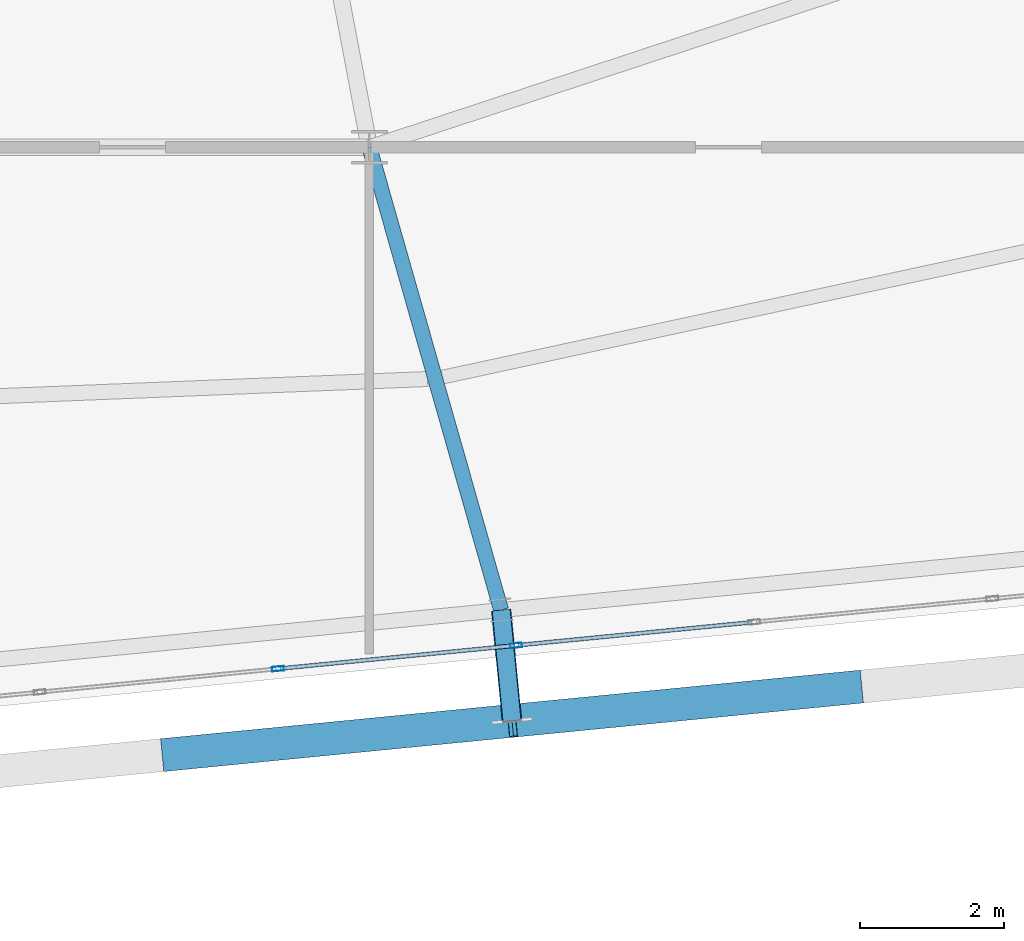
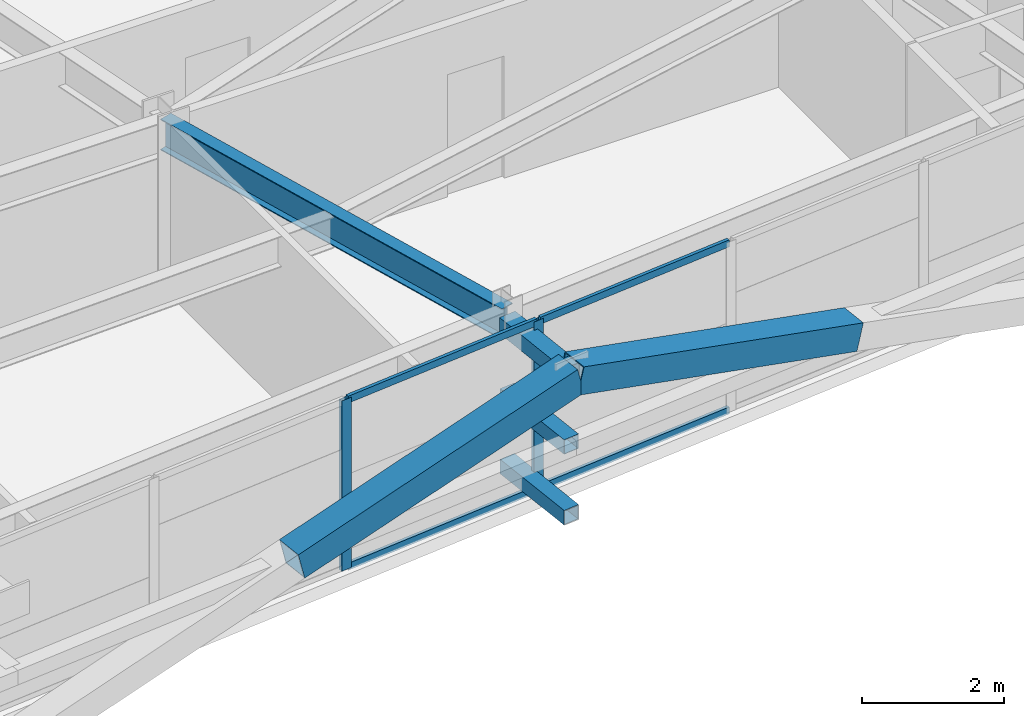
# One storey, part 17 of 52: 11 members, 1 beam, 1 element without a shape of its own.
"""IFC4 building model written with IfcOpenShell, lengths in metres."""

from ifc_helpers import new_model, si_unit, direction, frame, origin, origin_2d, place, context, subcontext, project, spatial, hollow_rectangle, i_section, extrude, source, transform, mapped, material, layer, layer_set, material_profile, profile_set, type_object, element, aggregate, save


model = new_model("IFC4")

# Units and contexts
model_context = context("Model", 3, precision=1e-05, world=origin(), true_north=direction((0.0, 1.0)))
body_context = subcontext(model_context, "Body", "Model", "MODEL_VIEW")
ifc_project = project(units=[si_unit("LENGTHUNIT", "METRE"), si_unit("AREAUNIT", "SQUARE_METRE"), si_unit("VOLUMEUNIT", "CUBIC_METRE"), si_unit("PLANEANGLEUNIT", "RADIAN"), si_unit("MASSUNIT", "GRAM", prefix="KILO")], contexts=[model_context])

# Site, building, storey
site_placement = place(None, origin())
site = spatial("IfcSite", under=ifc_project, at=site_placement, CompositionType="ELEMENT")
building_placement = place(site_placement, origin())
building = spatial("IfcBuilding", under=site, at=building_placement, Name="Taldren Reach Tower", CompositionType="ELEMENT")
storey_placement = place(building_placement, frame((0.0, 0.0, 74.550048828125)))
storey = spatial("IfcBuildingStorey", under=building, at=storey_placement, Name="L22", CompositionType="ELEMENT", Elevation=74.550048828125)

# Members
ifc_material_1 = material(Name="Steel Gr 450 (C450L0)", Category="steel")
ifc_material_profile_1 = material_profile(ifc_material_1, hollow_rectangle(XDim=0.27490234375, YDim=0.27490234375, WallThickness=0.00927734375, at=origin_2d()), Name="275x275x9.3SHS")
ifc_profile_set_1 = profile_set([ifc_material_profile_1], Name="Steel Gr 450 (C450L0)")
member_type_1 = type_object("IfcMemberType", Name="MB-TIE273", PredefinedType="STRUT", material=ifc_profile_set_1)
shared_shape_1 = source(origin(), body_context, "Body", "SweptSolid", [
    extrude(hollow_rectangle(XDim=0.27490234375, YDim=0.27490234375, WallThickness=0.00927734375, at=origin_2d()), origin(), (0.0, 0.0, 1.0), 1.5498046875),
])
member_1_placement = place(storey_placement, frame((43.83544921875, 2.75390625, 2.64990234375), z_axis=(0.097663201064, -0.995219523099, 0.0), x_axis=(0.995219523099, 0.097663201064, 0.0)))
element("IfcMember", 1, at=member_1_placement, inside=storey, type_object=member_type_1, Name="Exoskeleton diaphragm tie strut B2-S4 L22", PredefinedType="STRUT", context=body_context, shape_type="MappedRepresentation", body=[
    mapped(shared_shape_1, transform((0.0, 0.0, 0.0), scale=1.0)),
])
ifc_material_2 = material(Name="Steel Gr 350 (C350L0)", Category="steel")
ifc_material_profile_2 = material_profile(ifc_material_2, hollow_rectangle(XDim=0.25, YDim=0.25, WallThickness=0.010009765625, at=origin_2d()), Name="250x250x10.0SHS")
ifc_profile_set_2 = profile_set([ifc_material_profile_2], Name="Steel Gr 350 (C350L0)")
member_type_2 = type_object("IfcMemberType", Name="MB-POST250", PredefinedType="POST", material=ifc_profile_set_2)
shared_shape_2 = source(origin(), body_context, "Body", "SweptSolid", [
    extrude(hollow_rectangle(XDim=0.25, YDim=0.25, WallThickness=0.010009765625, at=origin_2d()), origin(), (0.0, 0.0, 1.0), 1.5498046875),
])
for number, where, z_axis, x_axis, name in (
    (2, (43.83544921875, 2.75390625, 0.219970703125), (0.097663201064, -0.995219523099, 0.0), (0.995219523099, 0.097663201064, 0.0), "Exoskeleton base diaphragm tie strut B2-S4 L22"),
    (3, (43.83544921875, 2.75390625, 1.43505859375), (0.097663201064, -0.995219523099, 0.0), (0.995219523099, 0.097663201064, 0.0), "Exoskeleton mid-tier diaphragm tie B2-S4 L22"),
):
    element("IfcMember", number, at=place(storey_placement, frame(where, z_axis=z_axis, x_axis=x_axis)), inside=storey, type_object=member_type_2, Name=name, PredefinedType="POST", context=body_context, shape_type="MappedRepresentation", body=[
        mapped(shared_shape_2, transform((0.0, 0.0, 0.0), scale=1.0)),
    ])

# Beam
ifc_material_3 = material(Name="Steel Gr 350 (350PLUS)", Category="steel")
ifc_material_profile_3 = material_profile(ifc_material_3, i_section(OverallWidth=0.208984375, OverallDepth=0.532958984375, WebThickness=0.01025390625, FlangeThickness=0.015625, at=origin_2d()), Name="530UB92.4")
ifc_profile_set_3 = profile_set([ifc_material_profile_3], Name="Steel Gr 350 (350PLUS)")
beam_type = type_object("IfcBeamType", Name="BM-UB530A", PredefinedType="BEAM", material=ifc_profile_set_3)
shared_shape_3 = source(origin(), body_context, "Body", "SweptSolid", [
    extrude(i_section(OverallWidth=0.208984375, OverallDepth=0.532958984375, WebThickness=0.01025390625, FlangeThickness=0.015625, at=origin_2d()), origin(), (0.0, 0.0, 1.0), 6.7021484375),
])
beam_placement = place(storey_placement, frame((42.0, 9.199951171875, 2.663330078125), z_axis=(0.273855026091, -0.961770983491, 0.0), x_axis=(0.961770983491, 0.273855026091, 0.0)))
element("IfcBeam", 4, at=beam_placement, inside=storey, type_object=beam_type, Name="Primary floor girder B2-S4 L22", PredefinedType="BEAM", context=body_context, shape_type="MappedRepresentation", body=[
    mapped(shared_shape_3, transform((0.0, 0.0, 0.0), scale=1.0)),
])

# Members
ifc_material_profile_4 = material_profile(ifc_material_1, hollow_rectangle(XDim=0.4599609375, YDim=0.4599609375, WallThickness=0.01611328125, at=origin_2d()), Name="460x460x16.0SHS")
ifc_profile_set_4 = profile_set([ifc_material_profile_4], Name="Steel Gr 450 (C450L0)")
member_type_3 = type_object("IfcMemberType", Name="MB-EXO457", PredefinedType="BRACE", material=ifc_profile_set_4)
shared_shape_4 = source(origin(), body_context, "Body", "SweptSolid", [
    extrude(hollow_rectangle(XDim=0.4599609375, YDim=0.4599609375, WallThickness=0.01611328125, at=origin_2d()), origin(), (0.0, 0.0, 1.0), 4.990234375),
])
for number, where, z_axis, x_axis, name in (
    (5, (39.169921875, 0.739013671875, 1.43505859375), (0.965282554799, 0.094669120301, 0.243448859234), (-0.097605711627, 0.995225162995, 0.0), "Exoskeleton Diagrid Brace B2-S3 L22"),
    (6, (48.8037109375, 1.68359375, 1.43505859375), (-0.965287024526, -0.094620633828, 0.24344998652), (0.097555749586, -0.995230061706, 0.0), "Exoskeleton Diagrid Brace B2-S4 L22"),
):
    element("IfcMember", number, at=place(storey_placement, frame(where, z_axis=z_axis, x_axis=x_axis)), inside=storey, type_object=member_type_3, Name=name, PredefinedType="BRACE", context=body_context, shape_type="MappedRepresentation", body=[
        mapped(shared_shape_4, transform((0.0, 0.0, 0.0), scale=1.0)),
    ])

# Curtain wall, members
ifc_material_4 = material(Name="Aluminium and Low-E Glass Unitised System", Category="aluminium")
ifc_layer = layer(ifc_material_4, 0.159912109375)
ifc_layer_set = layer_set([ifc_layer], Name="Aluminium and Low-E Glass Unitised System")
curtain_wall_type = type_object("IfcCurtainWallType", Name="CW-SYS-3", PredefinedType="NOTDEFINED", material=ifc_layer_set)
curtain_wall_placement = place(storey_placement, origin())
curtain_wall = element("IfcCurtainWall", 7, at=curtain_wall_placement, inside=storey, type_object=curtain_wall_type, Name="Unitised curtain wall CW-L22-S", PredefinedType="NOTDEFINED")
ifc_material_5 = material(Name="Anodised Aluminium 6063-T6", Category="aluminium")
ifc_material_profile_5 = material_profile(ifc_material_5, hollow_rectangle(XDim=0.06494140625, YDim=0.1650390625, WallThickness=0.00390625, at=origin_2d()), Name="ALU-165x65x4RHS")
ifc_profile_set_5 = profile_set([ifc_material_profile_5], Name="Anodised Aluminium 6063-T6")
member_type_4 = type_object("IfcMemberType", Name="CW-MUL-165", PredefinedType="MULLION", material=ifc_profile_set_5)
shared_shape_5 = source(origin(), body_context, "Body", "SweptSolid", [
    extrude(hollow_rectangle(XDim=0.06494140625, YDim=0.1650390625, WallThickness=0.00390625, at=origin_2d()), origin(), (0.0, 0.0, 1.0), 2.929931640625),
])
member_2_placement = place(storey_placement, frame((40.72705078125, 1.936767578125, 0.0), z_axis=(0.0, 0.0, 1.0), x_axis=(-0.097582999046, 0.995227390247, 0.0)))
member_2 = element("IfcMember", 8, at=member_2_placement, type_object=member_type_4, Name="CW-3 mullion 9", PredefinedType="MULLION", context=body_context, shape_type="MappedRepresentation", body=[
    mapped(shared_shape_5, transform((0.0, 0.0, 0.0), scale=1.0)),
])
member_3_placement = place(storey_placement, frame((44.044677734375, 2.261962890625, 0.0), z_axis=(0.0, 0.0, 1.0), x_axis=(-0.097582999046, 0.995227390247, 0.0)))
member_3 = element("IfcMember", 9, at=member_3_placement, type_object=member_type_4, Name="CW-3 mullion 10", PredefinedType="MULLION", context=body_context, shape_type="MappedRepresentation", body=[
    mapped(shared_shape_5, transform((0.0, 0.0, 0.0), scale=1.0)),
])
ifc_material_profile_6 = material_profile(ifc_material_5, hollow_rectangle(XDim=0.054931640625, YDim=0.1201171875, WallThickness=0.0029296875, at=origin_2d()), Name="ALU-120x55x3RHS")
ifc_profile_set_6 = profile_set([ifc_material_profile_6], Name="Anodised Aluminium 6063-T6")
member_type_5 = type_object("IfcMemberType", Name="CW-TRN-135", PredefinedType="USERDEFINED", material=ifc_profile_set_6)
shared_shape_6 = source(origin(), body_context, "Body", "SweptSolid", [
    extrude(hollow_rectangle(XDim=0.054931640625, YDim=0.1201171875, WallThickness=0.0029296875, at=origin_2d()), origin(), (0.0, 0.0, 1.0), 3.268310546875),
])
member_4_placement = place(storey_placement, frame((40.759521484375, 1.93994140625, 0.02734375), z_axis=(0.99522980512, 0.097558367146, 0.0), x_axis=(-0.097558367146, 0.99522980512, 0.0)))
member_4 = element("IfcMember", 10, at=member_4_placement, type_object=member_type_5, Name="CW-3 transom 9.1", ObjectType="TRANSOM", PredefinedType="USERDEFINED", context=body_context, shape_type="MappedRepresentation", body=[
    mapped(shared_shape_6, transform((0.0, 0.0, 0.0), scale=1.0)),
])
member_5_placement = place(storey_placement, frame((40.759521484375, 1.93994140625, 2.90234375), z_axis=(0.99522980512, 0.097558367146, 0.0), x_axis=(-0.097558367146, 0.99522980512, 0.0)))
member_5 = element("IfcMember", 11, at=member_5_placement, type_object=member_type_5, Name="CW-3 transom 9.2", ObjectType="TRANSOM", PredefinedType="USERDEFINED", context=body_context, shape_type="MappedRepresentation", body=[
    mapped(shared_shape_6, transform((0.0, 0.0, 0.0), scale=1.0)),
])
member_6_placement = place(storey_placement, frame((44.076904296875, 2.26513671875, 0.02734375), z_axis=(0.99522980512, 0.097558367146, 0.0), x_axis=(-0.097558367146, 0.99522980512, 0.0)))
member_6 = element("IfcMember", 12, at=member_6_placement, type_object=member_type_5, Name="CW-3 transom 10.1", ObjectType="TRANSOM", PredefinedType="USERDEFINED", context=body_context, shape_type="MappedRepresentation", body=[
    mapped(shared_shape_6, transform((0.0, 0.0, 0.0), scale=1.0)),
])
member_7_placement = place(storey_placement, frame((44.076904296875, 2.26513671875, 2.90234375), z_axis=(0.99522980512, 0.097558367146, 0.0), x_axis=(-0.097558367146, 0.99522980512, 0.0)))
member_7 = element("IfcMember", 13, at=member_7_placement, type_object=member_type_5, Name="CW-3 transom 10.2", ObjectType="TRANSOM", PredefinedType="USERDEFINED", context=body_context, shape_type="MappedRepresentation", body=[
    mapped(shared_shape_6, transform((0.0, 0.0, 0.0), scale=1.0)),
])
aggregate(curtain_wall, [member_2, member_3, member_4, member_5, member_6, member_7])

save(model, "model.ifc")
